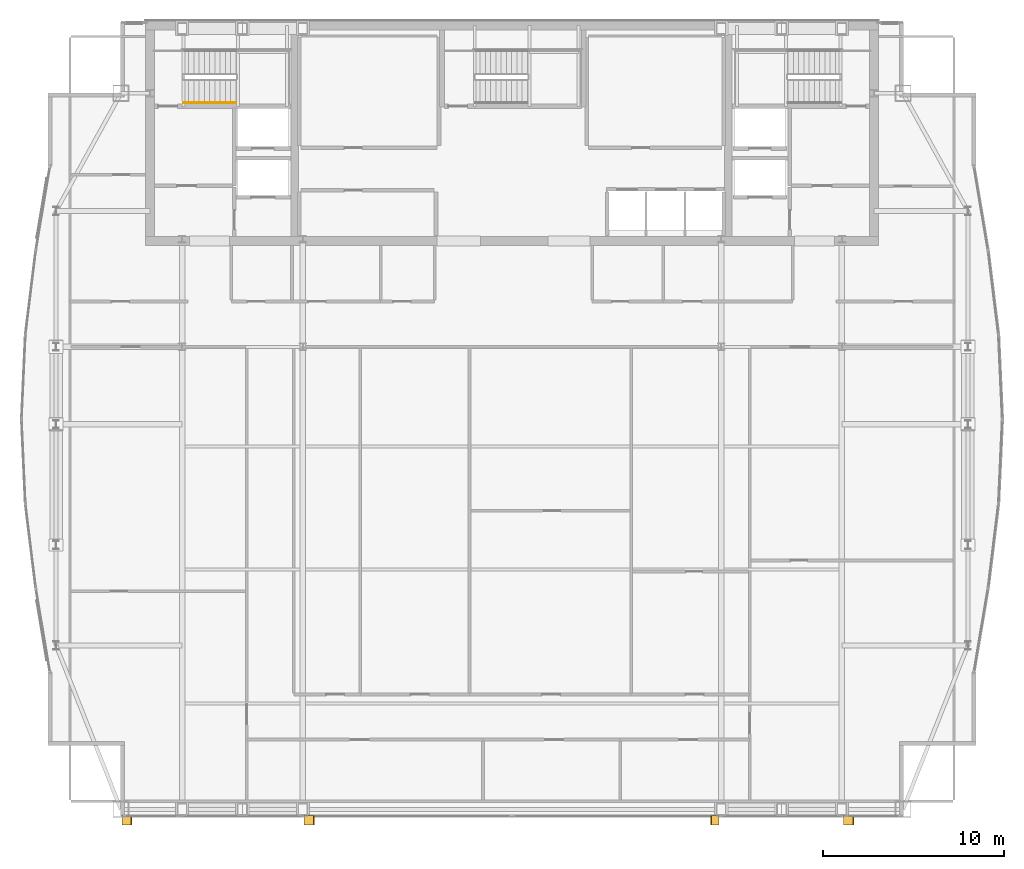
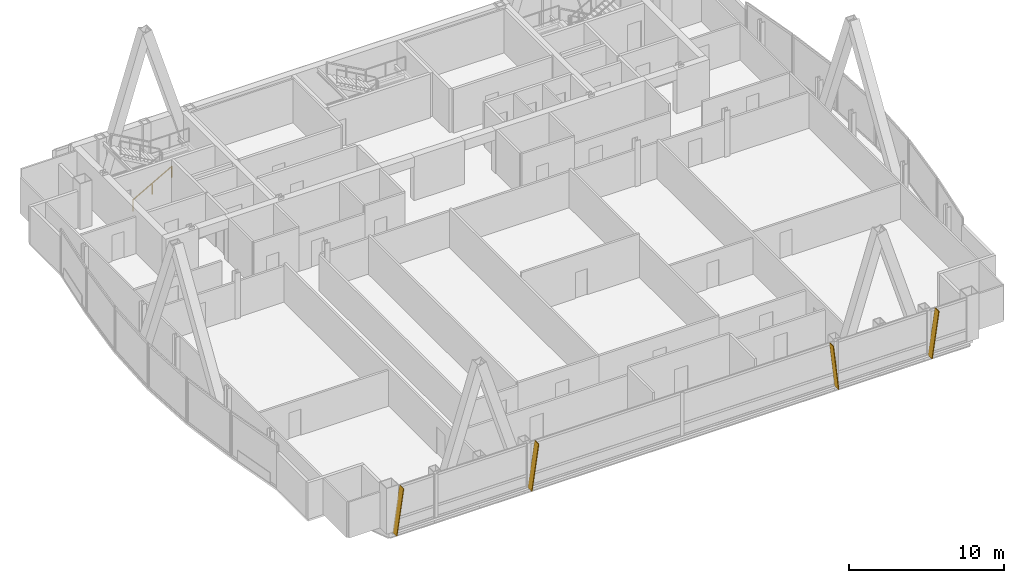
# One storey, part 28 of 29: 4 shading devices, 1 railing.
"""IFC4 building model written with IfcOpenShell, lengths in metres."""

import ifcopenshell
import ifcopenshell.guid

model = None  # the IFC model being written
_history = None  # IfcOwnerHistory: only IFC2X3 demands one
_inside = {}  # id of a spatial element -> (the spatial element, [elements in it])
_under = {}  # id of a project, library or spatial element -> (it, [spatial elements below it])
_declared = {}  # id of a project -> (the project, [libraries it declares])
_typed = {}  # id of a type object -> (the type object, [elements of that type])
_made_of = {}  # id of a material, layer set ... -> (it, [elements and type objects made of it])


def new_model(schema):
    """Start an empty IFC model of exactly this schema.

    Asked for "IFC4X3", IfcOpenShell would pick the latest addendum, in which some entities
    have other attributes; the version numbers below select the first issue.
    IFC2X3 requires an IfcOwnerHistory on every rooted entity: one is made here for all.
    """
    global model, _history
    if schema == "IFC4X3":
        model = ifcopenshell.file(schema_version=(4, 3, 0, 0))
    else:
        model = ifcopenshell.file(schema=schema)
    _inside.clear()
    _under.clear()
    _declared.clear()
    _typed.clear()
    _made_of.clear()
    _history = None
    if model.schema == "IFC2X3":
        org = make("IfcOrganization", Name="unknown")
        user = make(
            "IfcPersonAndOrganization",
            ThePerson=make("IfcPerson", FamilyName="unknown"),
            TheOrganization=org,
        )
        app = make(
            "IfcApplication",
            ApplicationDeveloper=org,
            Version="unknown",
            ApplicationFullName="unknown",
            ApplicationIdentifier="unknown",
        )
        _history = make(
            "IfcOwnerHistory",
            OwningUser=user,
            OwningApplication=app,
            ChangeAction="ADDED",
            CreationDate=0,
        )
    return model


def make(cls, **values):
    """One entity of the class cls with the attributes given. An attribute that is None is left unset."""
    return model.create_entity(
        cls, **{name: value for name, value in values.items() if value is not None}
    )


def rooted(cls, **values):
    """An entity with a GlobalId (a new one), such as an element, a storey or a relation."""
    return make(cls, GlobalId=ifcopenshell.guid.new(), OwnerHistory=_history, **values)


def si_unit(unit_type, name, prefix=None):
    """IfcSIUnit, for example si_unit("LENGTHUNIT", "METRE", prefix="MILLI")."""
    return make("IfcSIUnit", UnitType=unit_type, Prefix=prefix, Name=name)


def assignment(units):
    """IfcUnitAssignment: the units of a project."""
    return None if units is None else make("IfcUnitAssignment", Units=units)


def point(xyz):
    """IfcCartesianPoint."""
    return None if xyz is None else make("IfcCartesianPoint", Coordinates=xyz)


def direction(xyz):
    """IfcDirection."""
    return None if xyz is None else make("IfcDirection", DirectionRatios=xyz)


def frame(location, z_axis=None, x_axis=None):
    """IfcAxis2Placement3D, a coordinate frame: its origin and axes. An axis left out is left unset."""
    return make(
        "IfcAxis2Placement3D",
        Location=point(location),
        Axis=direction(z_axis),
        RefDirection=direction(x_axis),
    )


def frame_2d(location, x_axis=None):
    """IfcAxis2Placement2D, a coordinate frame in the plane: its origin and x axis."""
    return make(
        "IfcAxis2Placement2D", Location=point(location), RefDirection=direction(x_axis)
    )


def origin():
    """The frame at (0, 0, 0) with its axes left unset."""
    return frame((0.0, 0.0, 0.0))


def origin_2d():
    """The frame at (0, 0) in the plane with its x axis left unset."""
    return frame_2d((0.0, 0.0))


def place(relative_to, where):
    """IfcLocalPlacement: puts the frame where relative to a parent placement (None: the world)."""
    return make(
        "IfcLocalPlacement", PlacementRelTo=relative_to, RelativePlacement=where
    )


def context(
    kind, dimensions, precision=None, world=None, true_north=None, identifier=None
):
    """IfcGeometricRepresentationContext, for example the 3D "Model" context."""
    return make(
        "IfcGeometricRepresentationContext",
        ContextIdentifier=identifier,
        ContextType=kind,
        CoordinateSpaceDimension=dimensions,
        Precision=precision,
        WorldCoordinateSystem=world,
        TrueNorth=true_north,
    )


def subcontext(parent, identifier, kind, view, scale=None):
    """IfcGeometricRepresentationSubContext, for example "Body" below "Model"."""
    return make(
        "IfcGeometricRepresentationSubContext",
        ContextIdentifier=identifier,
        ContextType=kind,
        ParentContext=parent,
        TargetScale=scale,
        TargetView=view,
    )


def project(units=None, contexts=None):
    """IfcProject with its units and contexts."""
    return rooted(
        "IfcProject",
        Name="project",
        RepresentationContexts=contexts,
        UnitsInContext=assignment(units),
    )


def spatial(cls, under=None, at=None, **own):
    """A site, building, storey or space (cls), placed at a placement, below another one or the project."""
    s = rooted(cls, ObjectPlacement=at, **own)
    if under is not None:
        _under.setdefault(under.id(), (under, []))[1].append(s)
    return s


def polyline(points):
    """IfcPolyline through the points."""
    return make("IfcPolyline", Points=[point(p) for p in points])


def profile(cls, at=None, kind="AREA", **sizes):
    """A parametric profile (cls). Its sizes go by their IFC names, for example OverallWidth=200.0."""
    return make(cls, ProfileType=kind, Position=at, **sizes)


def rectangle(**sizes):
    """IfcRectangleProfileDef."""
    return profile("IfcRectangleProfileDef", **sizes)


def outline(outer, holes=None, kind="AREA"):
    """IfcArbitraryClosedProfileDef: a profile drawn as a closed curve; with holes, ...WithVoids."""
    if holes is None:
        return make("IfcArbitraryClosedProfileDef", ProfileType=kind, OuterCurve=outer)
    return make(
        "IfcArbitraryProfileDefWithVoids",
        ProfileType=kind,
        OuterCurve=outer,
        InnerCurves=holes,
    )


def extrude(swept, where, along, depth):
    """IfcExtrudedAreaSolid: the profile swept, set in the frame where, extruded along a direction by depth."""
    return make(
        "IfcExtrudedAreaSolid",
        SweptArea=swept,
        Position=where,
        ExtrudedDirection=direction(along),
        Depth=depth,
    )


def shape(context_of_items, identifier, shape_type, items):
    """IfcShapeRepresentation: the items that make up one representation, for example the "Body"."""
    return make(
        "IfcShapeRepresentation",
        ContextOfItems=context_of_items,
        RepresentationIdentifier=identifier,
        RepresentationType=shape_type,
        Items=items,
    )


def material(Name=None, Category=None):
    """IfcMaterial."""
    return make("IfcMaterial", Name=Name, Category=Category)


def layer(
    of_material, thickness, ventilated=None, Name=None, Category=None, Priority=None
):
    """IfcMaterialLayer: one layer of a wall or slab, of a material (None: an air gap)."""
    return make(
        "IfcMaterialLayer",
        Material=of_material,
        LayerThickness=thickness,
        IsVentilated=ventilated,
        Name=Name,
        Category=Category,
        Priority=Priority,
    )


def layer_set(layers, Name=None):
    """IfcMaterialLayerSet."""
    return make("IfcMaterialLayerSet", MaterialLayers=layers, LayerSetName=Name)


def made_of(thing, what):
    """Note that an element or type object is made of a material, layer set ...; save() writes the relation."""
    if what is not None:
        _made_of.setdefault(what.id(), (what, []))[1].append(thing)
    return thing


def type_object(cls, material=None, **own):
    """A type object (cls), such as IfcWallType, which elements share."""
    return made_of(rooted(cls, **own), material)


def element(
    cls,
    number,
    at=None,
    inside=None,
    cuts=None,
    type_object=None,
    material=None,
    context=None,
    identifier="Body",
    shape_type=None,
    held_by="IfcProductDefinitionShape",
    body=None,
    shapes=None,
    **own,
):
    """One element of the class cls, such as IfcWall. Its Tag is "e" and its number.

    at: its placement. inside: the storey or other place that contains it. cuts: it is an
    opening in that element (IfcRelVoidsElement). A single representation is given by context,
    identifier, shape_type and body (its items); several are given by shapes. held_by: the class
    of the entity that holds the representations. save() writes the other relations.
    """
    e = rooted(cls, Tag="e%d" % number, ObjectPlacement=at, **own)
    if body is not None:
        shapes = [shape(context, identifier, shape_type, body)]
    if shapes is not None:
        e.Representation = make(held_by, Representations=shapes)
    if inside is not None:
        _inside.setdefault(inside.id(), (inside, []))[1].append(e)
    if cuts is not None:
        rooted(
            "IfcRelVoidsElement", RelatingBuildingElement=cuts, RelatedOpeningElement=e
        )
    if type_object is not None:
        _typed.setdefault(type_object.id(), (type_object, []))[1].append(e)
    return made_of(e, material)


def aggregate(whole, parts):
    """IfcRelAggregates: a whole, such as a stair, and the parts it consists of."""
    return rooted("IfcRelAggregates", RelatingObject=whole, RelatedObjects=parts)


def save(model, path):
    """Write the relations noted so far, then the file.

    IfcRelAggregates (storeys below a building ...), IfcRelContainedInSpatialStructure (elements
    in a storey), IfcRelDefinesByType, IfcRelAssociatesMaterial and IfcRelDeclares: one each for
    every whole, place, type object, material and project.
    """
    for whole, parts in _under.values():
        aggregate(whole, parts)
    for where, things in _inside.values():
        rooted(
            "IfcRelContainedInSpatialStructure",
            RelatedElements=things,
            RelatingStructure=where,
        )
    for kind, things in _typed.values():
        rooted("IfcRelDefinesByType", RelatedObjects=things, RelatingType=kind)
    for what, things in _made_of.values():
        rooted("IfcRelAssociatesMaterial", RelatedObjects=things, RelatingMaterial=what)
    for by, libraries in _declared.values():
        rooted("IfcRelDeclares", RelatingContext=by, RelatedDefinitions=libraries)
    model.write(path)


model = new_model("IFC4")

# Units and contexts
model_context = context("Model", 3, precision=1e-05, world=origin(), true_north=direction((0.0, 1.0)))
body_context = subcontext(model_context, "Body", "Model", "MODEL_VIEW")
ifc_project = project(units=[si_unit("LENGTHUNIT", "METRE"), si_unit("AREAUNIT", "SQUARE_METRE"), si_unit("VOLUMEUNIT", "CUBIC_METRE"), si_unit("PLANEANGLEUNIT", "RADIAN"), si_unit("MASSUNIT", "GRAM", prefix="KILO")], contexts=[model_context])

# Site, building, storey
site_placement = place(None, origin())
site = spatial("IfcSite", under=ifc_project, at=site_placement, CompositionType="ELEMENT")
building_placement = place(site_placement, origin())
building = spatial("IfcBuilding", under=site, at=building_placement, Name="Khoronbel Lancet Exchange", CompositionType="ELEMENT")
storey_placement = place(building_placement, frame((0.0, 0.0, 336.199951171875)))
storey = spatial("IfcBuildingStorey", under=building, at=storey_placement, Name="L87", CompositionType="ELEMENT", Elevation=336.199951171875)

# Railing
ifc_material_1 = material(Name="Brushed Stainless Steel 316", Category="steel")
railing_type = type_object("IfcRailingType", Name="RL-STH92", PredefinedType="HANDRAIL", material=ifc_material_1)
railing_placement = place(storey_placement, frame((18.300048828125, 49.169921875, 0.16357421875)))
element("IfcRailing", 1, at=railing_placement, inside=storey, type_object=railing_type, Name="L87 ST1 stair handrail 1", PredefinedType="HANDRAIL", context=body_context, shape_type="SweptSolid", body=[
    extrude(rectangle(XDim=0.048095703125, YDim=0.048095703125, at=origin_2d()), frame((0.0, 0.0, 0.8759765625), z_axis=(0.870897200241, 0.0, 0.491465224214), x_axis=(0.0, 1.0, 0.0)), (0.0, 0.0, 1.0), 3.329833984375),
    extrude(rectangle(XDim=0.0419921875, YDim=0.0419921875, at=origin_2d()), origin(), (0.0, 0.0, 1.0), 0.851806640625),
    extrude(rectangle(XDim=0.0419921875, YDim=0.0419921875, at=origin_2d()), frame((1.449951171875, 0.0, 0.818359375)), (0.0, 0.0, 1.0), 0.851806640625),
    extrude(rectangle(XDim=0.0419921875, YDim=0.0419921875, at=origin_2d()), frame((2.89990234375, 0.0, 1.636474609375)), (0.0, 0.0, 1.0), 0.851806640625),
])

# Shading devices
ifc_material_2 = material(Name="Bronze-Anodised Aluminium 6063-T6", Category="aluminium")
ifc_layer = layer(ifc_material_2, 0.054931640625, Name="Bronze-Anodised Aluminium 6063-T6")
ifc_layer_set = layer_set([ifc_layer], Name="Bronze-Anodised Aluminium 6063-T6")
shading_device_type = type_object("IfcShadingDeviceType", Name="SHD-FIN1", PredefinedType="USERDEFINED", material=ifc_layer_set)
for number, where, z_axis, x_axis, name in (
    (2, (14.91259765625, 9.81005859375, -0.079833984375), (-0.990091586433, 0.0, 0.14042311232), (0.0, -1.0, 0.0), "Slanted bronze solar fin CW-L87-SWV-0"),
    (3, (24.972412109375, 9.81005859375, -0.079833984375), (-0.990082143633, 0.0, 0.140489675274), (0.0, -1.0, 0.0), "Slanted bronze solar fin CW-L87-SCV-0"),
):
    element("IfcShadingDevice", number, at=place(storey_placement, frame(where, z_axis=z_axis, x_axis=x_axis)), inside=storey, type_object=shading_device_type, Name=name, ObjectType="FIN", PredefinedType="USERDEFINED", context=body_context, shape_type="SweptSolid", body=[
        extrude(outline(polyline([(0.0, 0.0), (0.52001953125, 0.0), (0.52001953125, 3.595458984375), (0.0, 3.595458984375), (0.0, 0.0)])), origin(), (0.0, 0.0, -1.0), 0.054931640625),
    ])
shading_device_1_placement = place(storey_placement, frame((47.87255859375, 9.81005859375, -0.079833984375), z_axis=(0.99389951861, 0.0, 0.110289378034), x_axis=(0.0, -1.0, 0.0)))
element("IfcShadingDevice", 4, at=shading_device_1_placement, inside=storey, type_object=shading_device_type, Name="Slanted bronze solar fin CW-L87-SCV-2", ObjectType="FIN", PredefinedType="USERDEFINED", context=body_context, shape_type="SweptSolid", body=[
    extrude(outline(polyline([(0.0, 0.0), (0.52001953125, 0.0), (0.52001953125, -3.58154296875), (0.0, -3.58154296875), (0.0, 0.0)])), origin(), (0.0, 0.0, -1.0), 0.054931640625),
])
shading_device_2_placement = place(storey_placement, frame((54.7724609375, 9.81005859375, -0.079833984375), z_axis=(-0.990082143633, 0.0, 0.140489675274), x_axis=(0.0, -1.0, 0.0)))
element("IfcShadingDevice", 5, at=shading_device_2_placement, inside=storey, type_object=shading_device_type, Name="Slanted bronze solar fin CW-L87-SEV-0", ObjectType="FIN", PredefinedType="USERDEFINED", context=body_context, shape_type="SweptSolid", body=[
    extrude(outline(polyline([(0.0, 0.0), (0.52001953125, 0.0), (0.52001953125, 3.595458984375), (0.0, 3.595458984375), (0.0, 0.0)])), origin(), (0.0, 0.0, -1.0), 0.054931640625),
])

save(model, "model.ifc")
